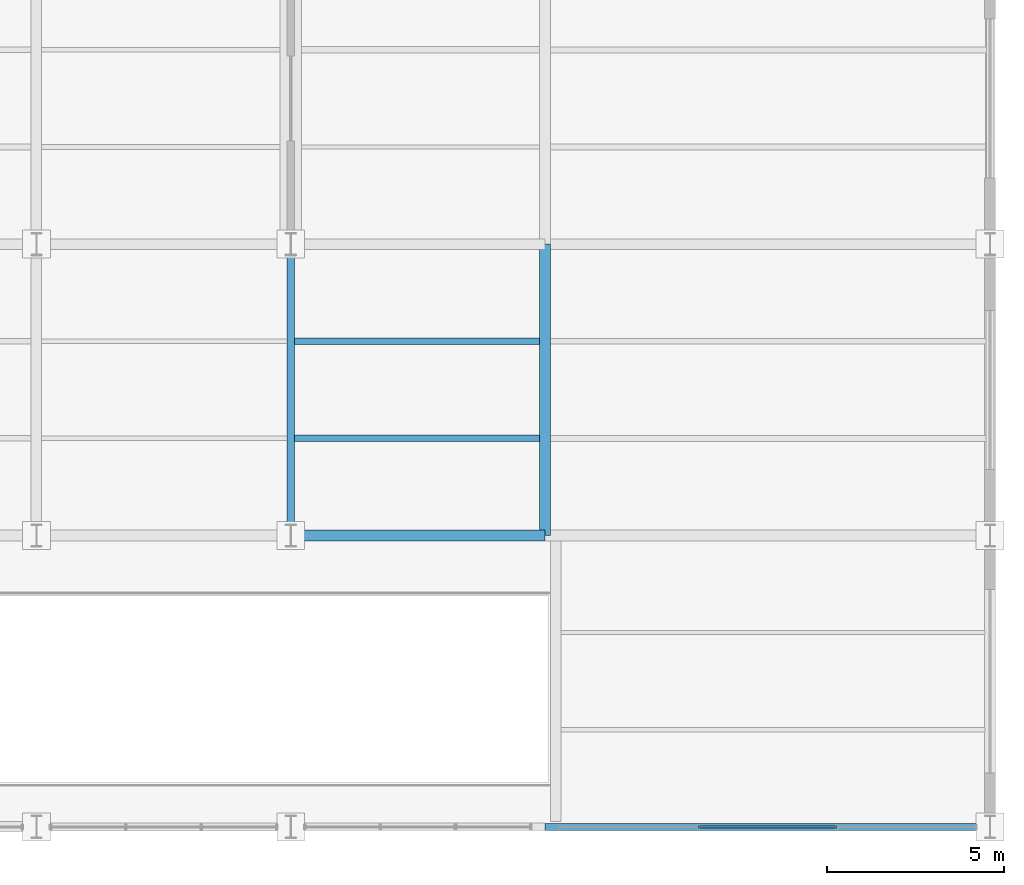
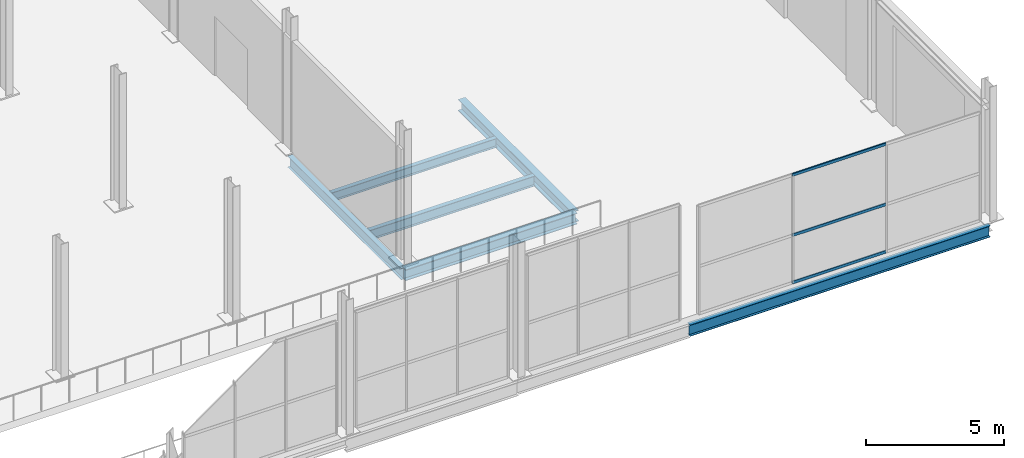
# One storey, part 85 of 144: 6 beams, 3 members, 1 element without a shape of its own.
"""IFC4 building model written with IfcOpenShell, lengths in metres."""

import ifcopenshell
import ifcopenshell.guid

model = None  # the IFC model being written
_history = None  # IfcOwnerHistory: only IFC2X3 demands one
_inside = {}  # id of a spatial element -> (the spatial element, [elements in it])
_under = {}  # id of a project, library or spatial element -> (it, [spatial elements below it])
_declared = {}  # id of a project -> (the project, [libraries it declares])
_typed = {}  # id of a type object -> (the type object, [elements of that type])
_made_of = {}  # id of a material, layer set ... -> (it, [elements and type objects made of it])


def new_model(schema):
    """Start an empty IFC model of exactly this schema.

    Asked for "IFC4X3", IfcOpenShell would pick the latest addendum, in which some entities
    have other attributes; the version numbers below select the first issue.
    IFC2X3 requires an IfcOwnerHistory on every rooted entity: one is made here for all.
    """
    global model, _history
    if schema == "IFC4X3":
        model = ifcopenshell.file(schema_version=(4, 3, 0, 0))
    else:
        model = ifcopenshell.file(schema=schema)
    _inside.clear()
    _under.clear()
    _declared.clear()
    _typed.clear()
    _made_of.clear()
    _history = None
    if model.schema == "IFC2X3":
        org = make("IfcOrganization", Name="unknown")
        user = make(
            "IfcPersonAndOrganization",
            ThePerson=make("IfcPerson", FamilyName="unknown"),
            TheOrganization=org,
        )
        app = make(
            "IfcApplication",
            ApplicationDeveloper=org,
            Version="unknown",
            ApplicationFullName="unknown",
            ApplicationIdentifier="unknown",
        )
        _history = make(
            "IfcOwnerHistory",
            OwningUser=user,
            OwningApplication=app,
            ChangeAction="ADDED",
            CreationDate=0,
        )
    return model


def make(cls, **values):
    """One entity of the class cls with the attributes given. An attribute that is None is left unset."""
    return model.create_entity(
        cls, **{name: value for name, value in values.items() if value is not None}
    )


def rooted(cls, **values):
    """An entity with a GlobalId (a new one), such as an element, a storey or a relation."""
    return make(cls, GlobalId=ifcopenshell.guid.new(), OwnerHistory=_history, **values)


def si_unit(unit_type, name, prefix=None):
    """IfcSIUnit, for example si_unit("LENGTHUNIT", "METRE", prefix="MILLI")."""
    return make("IfcSIUnit", UnitType=unit_type, Prefix=prefix, Name=name)


def assignment(units):
    """IfcUnitAssignment: the units of a project."""
    return None if units is None else make("IfcUnitAssignment", Units=units)


def point(xyz):
    """IfcCartesianPoint."""
    return None if xyz is None else make("IfcCartesianPoint", Coordinates=xyz)


def direction(xyz):
    """IfcDirection."""
    return None if xyz is None else make("IfcDirection", DirectionRatios=xyz)


def frame(location, z_axis=None, x_axis=None):
    """IfcAxis2Placement3D, a coordinate frame: its origin and axes. An axis left out is left unset."""
    return make(
        "IfcAxis2Placement3D",
        Location=point(location),
        Axis=direction(z_axis),
        RefDirection=direction(x_axis),
    )


def frame_2d(location, x_axis=None):
    """IfcAxis2Placement2D, a coordinate frame in the plane: its origin and x axis."""
    return make(
        "IfcAxis2Placement2D", Location=point(location), RefDirection=direction(x_axis)
    )


def origin():
    """The frame at (0, 0, 0) with its axes left unset."""
    return frame((0.0, 0.0, 0.0))


def origin_2d():
    """The frame at (0, 0) in the plane with its x axis left unset."""
    return frame_2d((0.0, 0.0))


def place(relative_to, where):
    """IfcLocalPlacement: puts the frame where relative to a parent placement (None: the world)."""
    return make(
        "IfcLocalPlacement", PlacementRelTo=relative_to, RelativePlacement=where
    )


def context(
    kind, dimensions, precision=None, world=None, true_north=None, identifier=None
):
    """IfcGeometricRepresentationContext, for example the 3D "Model" context."""
    return make(
        "IfcGeometricRepresentationContext",
        ContextIdentifier=identifier,
        ContextType=kind,
        CoordinateSpaceDimension=dimensions,
        Precision=precision,
        WorldCoordinateSystem=world,
        TrueNorth=true_north,
    )


def subcontext(parent, identifier, kind, view, scale=None):
    """IfcGeometricRepresentationSubContext, for example "Body" below "Model"."""
    return make(
        "IfcGeometricRepresentationSubContext",
        ContextIdentifier=identifier,
        ContextType=kind,
        ParentContext=parent,
        TargetScale=scale,
        TargetView=view,
    )


def project(units=None, contexts=None):
    """IfcProject with its units and contexts."""
    return rooted(
        "IfcProject",
        Name="project",
        RepresentationContexts=contexts,
        UnitsInContext=assignment(units),
    )


def spatial(cls, under=None, at=None, **own):
    """A site, building, storey or space (cls), placed at a placement, below another one or the project."""
    s = rooted(cls, ObjectPlacement=at, **own)
    if under is not None:
        _under.setdefault(under.id(), (under, []))[1].append(s)
    return s


def profile(cls, at=None, kind="AREA", **sizes):
    """A parametric profile (cls). Its sizes go by their IFC names, for example OverallWidth=200.0."""
    return make(cls, ProfileType=kind, Position=at, **sizes)


def hollow_rectangle(**sizes):
    """IfcRectangleHollowProfileDef."""
    return profile("IfcRectangleHollowProfileDef", **sizes)


def i_section(**sizes):
    """IfcIShapeProfileDef."""
    return profile("IfcIShapeProfileDef", **sizes)


def extrude(swept, where, along, depth):
    """IfcExtrudedAreaSolid: the profile swept, set in the frame where, extruded along a direction by depth."""
    return make(
        "IfcExtrudedAreaSolid",
        SweptArea=swept,
        Position=where,
        ExtrudedDirection=direction(along),
        Depth=depth,
    )


def shape(context_of_items, identifier, shape_type, items):
    """IfcShapeRepresentation: the items that make up one representation, for example the "Body"."""
    return make(
        "IfcShapeRepresentation",
        ContextOfItems=context_of_items,
        RepresentationIdentifier=identifier,
        RepresentationType=shape_type,
        Items=items,
    )


def material(Name=None, Category=None):
    """IfcMaterial."""
    return make("IfcMaterial", Name=Name, Category=Category)


def layer(
    of_material, thickness, ventilated=None, Name=None, Category=None, Priority=None
):
    """IfcMaterialLayer: one layer of a wall or slab, of a material (None: an air gap)."""
    return make(
        "IfcMaterialLayer",
        Material=of_material,
        LayerThickness=thickness,
        IsVentilated=ventilated,
        Name=Name,
        Category=Category,
        Priority=Priority,
    )


def layer_set(layers, Name=None):
    """IfcMaterialLayerSet."""
    return make("IfcMaterialLayerSet", MaterialLayers=layers, LayerSetName=Name)


def material_profile(
    of_material, cross_section, Name=None, Category=None, Priority=None
):
    """IfcMaterialProfile: a cross section and its material."""
    return make(
        "IfcMaterialProfile",
        Name=Name,
        Material=of_material,
        Profile=cross_section,
        Priority=Priority,
        Category=Category,
    )


def profile_set(profiles, Name=None, composite=None):
    """IfcMaterialProfileSet."""
    return make(
        "IfcMaterialProfileSet",
        Name=Name,
        MaterialProfiles=profiles,
        CompositeProfile=composite,
    )


def made_of(thing, what):
    """Note that an element or type object is made of a material, layer set ...; save() writes the relation."""
    if what is not None:
        _made_of.setdefault(what.id(), (what, []))[1].append(thing)
    return thing


def type_object(cls, material=None, **own):
    """A type object (cls), such as IfcWallType, which elements share."""
    return made_of(rooted(cls, **own), material)


def element(
    cls,
    number,
    at=None,
    inside=None,
    cuts=None,
    type_object=None,
    material=None,
    context=None,
    identifier="Body",
    shape_type=None,
    held_by="IfcProductDefinitionShape",
    body=None,
    shapes=None,
    **own,
):
    """One element of the class cls, such as IfcWall. Its Tag is "e" and its number.

    at: its placement. inside: the storey or other place that contains it. cuts: it is an
    opening in that element (IfcRelVoidsElement). A single representation is given by context,
    identifier, shape_type and body (its items); several are given by shapes. held_by: the class
    of the entity that holds the representations. save() writes the other relations.
    """
    e = rooted(cls, Tag="e%d" % number, ObjectPlacement=at, **own)
    if body is not None:
        shapes = [shape(context, identifier, shape_type, body)]
    if shapes is not None:
        e.Representation = make(held_by, Representations=shapes)
    if inside is not None:
        _inside.setdefault(inside.id(), (inside, []))[1].append(e)
    if cuts is not None:
        rooted(
            "IfcRelVoidsElement", RelatingBuildingElement=cuts, RelatedOpeningElement=e
        )
    if type_object is not None:
        _typed.setdefault(type_object.id(), (type_object, []))[1].append(e)
    return made_of(e, material)


def aggregate(whole, parts):
    """IfcRelAggregates: a whole, such as a stair, and the parts it consists of."""
    return rooted("IfcRelAggregates", RelatingObject=whole, RelatedObjects=parts)


def save(model, path):
    """Write the relations noted so far, then the file.

    IfcRelAggregates (storeys below a building ...), IfcRelContainedInSpatialStructure (elements
    in a storey), IfcRelDefinesByType, IfcRelAssociatesMaterial and IfcRelDeclares: one each for
    every whole, place, type object, material and project.
    """
    for whole, parts in _under.values():
        aggregate(whole, parts)
    for where, things in _inside.values():
        rooted(
            "IfcRelContainedInSpatialStructure",
            RelatedElements=things,
            RelatingStructure=where,
        )
    for kind, things in _typed.values():
        rooted("IfcRelDefinesByType", RelatedObjects=things, RelatingType=kind)
    for what, things in _made_of.values():
        rooted("IfcRelAssociatesMaterial", RelatedObjects=things, RelatingMaterial=what)
    for by, libraries in _declared.values():
        rooted("IfcRelDeclares", RelatingContext=by, RelatedDefinitions=libraries)
    model.write(path)


model = new_model("IFC4")

# Units and contexts
model_context = context("Model", 3, precision=1e-05, world=origin(), true_north=direction((0.0, 1.0)))
body_context = subcontext(model_context, "Body", "Model", "MODEL_VIEW")
ifc_project = project(units=[si_unit("LENGTHUNIT", "METRE"), si_unit("AREAUNIT", "SQUARE_METRE"), si_unit("VOLUMEUNIT", "CUBIC_METRE"), si_unit("PLANEANGLEUNIT", "RADIAN"), si_unit("MASSUNIT", "GRAM", prefix="KILO")], contexts=[model_context])

# Site, building, storey
site_placement = place(None, origin())
site = spatial("IfcSite", under=ifc_project, at=site_placement, CompositionType="ELEMENT")
building_placement = place(site_placement, origin())
building = spatial("IfcBuilding", under=site, at=building_placement, Name="Sundgate Opera House", CompositionType="ELEMENT")
storey_placement = place(building_placement, origin())
storey = spatial("IfcBuildingStorey", under=building, at=storey_placement, Name="L00", CompositionType="ELEMENT", Elevation=0.0)

# Beams
ifc_material_1 = material(Name="Steel S355J2", Category="steel")
ifc_material_profile_1 = material_profile(ifc_material_1, i_section(OverallWidth=0.300048828125, OverallDepth=0.489990234375, WebThickness=0.011962890625, FlangeThickness=0.02294921875, at=origin_2d()), Name="HEA 500")
ifc_profile_set_1 = profile_set([ifc_material_profile_1], Name="Steel S355J2")
beam_type_1 = type_object("IfcBeamType", Name="BM-GR-HEA500", PredefinedType="BEAM", material=ifc_profile_set_1)
beam_1_placement = place(storey_placement, frame((160.199951171875, 8.25, -0.56494140625), z_axis=(1.0, 0.0, 0.0), x_axis=(0.0, 1.0, 0.0)))
element("IfcBeam", 1, at=beam_1_placement, inside=storey, type_object=beam_type_1, Name="L00 Primary E-W Girder B0353", PredefinedType="BEAM", context=body_context, shape_type="SweptSolid", body=[
    extrude(i_section(OverallWidth=0.300048828125, OverallDepth=0.489990234375, WebThickness=0.011962890625, FlangeThickness=0.02294921875, at=origin_2d()), origin(), (0.0, 0.0, 1.0), 7.199951171875),
])
ifc_material_2 = material(Name="Steel S355J2", Category="steel")
ifc_material_profile_2 = material_profile(ifc_material_2, i_section(OverallWidth=0.300048828125, OverallDepth=0.5, WebThickness=0.014404296875, FlangeThickness=0.028076171875, at=origin_2d()), Name="HEB 500")
ifc_profile_set_2 = profile_set([ifc_material_profile_2], Name="Steel S355J2")
beam_type_2 = type_object("IfcBeamType", Name="BM-GR-HEB500", PredefinedType="BEAM", material=ifc_profile_set_2)
beam_2_placement = place(storey_placement, frame((167.39990234375, 8.25, -0.570068359375), z_axis=(0.0, 1.0, 0.0), x_axis=(-1.0, 0.0, 0.0)))
element("IfcBeam", 2, at=beam_2_placement, inside=storey, type_object=beam_type_2, Name="L00 Primary N-S Girder B0304", PredefinedType="BEAM", context=body_context, shape_type="SweptSolid", body=[
    extrude(i_section(OverallWidth=0.300048828125, OverallDepth=0.5, WebThickness=0.014404296875, FlangeThickness=0.028076171875, at=origin_2d()), origin(), (0.0, 0.0, 1.0), 8.25),
])
ifc_material_3 = material(Name="Steel S355J2", Category="steel")
ifc_material_profile_3 = material_profile(ifc_material_3, i_section(OverallWidth=0.199951171875, OverallDepth=0.5, WebThickness=0.01025390625, FlangeThickness=0.01611328125, at=origin_2d()), Name="IPE 500")
ifc_profile_set_3 = profile_set([ifc_material_profile_3], Name="Steel S355J2")
beam_type_3 = type_object("IfcBeamType", Name="BM-GR-IPE500", PredefinedType="BEAM", material=ifc_profile_set_3)
beam_3_placement = place(storey_placement, frame((160.199951171875, 8.25, -0.570068359375), z_axis=(0.0, 1.0, 0.0), x_axis=(-1.0, 0.0, 0.0)))
element("IfcBeam", 3, at=beam_3_placement, inside=storey, type_object=beam_type_3, Name="L00 Primary N-S Girder B0295", PredefinedType="BEAM", context=body_context, shape_type="SweptSolid", body=[
    extrude(i_section(OverallWidth=0.199951171875, OverallDepth=0.5, WebThickness=0.01025390625, FlangeThickness=0.01611328125, at=origin_2d()), origin(), (0.0, 0.0, 1.0), 8.25),
])
beam_4_placement = place(storey_placement, frame((167.39990234375, 0.0, -0.570068359375), z_axis=(1.0, 0.0, 0.0), x_axis=(0.0, 1.0, 0.0)))
element("IfcBeam", 4, at=beam_4_placement, inside=storey, type_object=beam_type_3, Name="L00 Primary E-W Girder B0338", PredefinedType="BEAM", context=body_context, shape_type="SweptSolid", body=[
    extrude(i_section(OverallWidth=0.199951171875, OverallDepth=0.5, WebThickness=0.01025390625, FlangeThickness=0.01611328125, at=origin_2d()), origin(), (0.0, 0.0, 1.0), 12.60009765625),
])
ifc_material_4 = material(Name="Steel S355J2", Category="steel")
ifc_material_profile_4 = material_profile(ifc_material_4, i_section(OverallWidth=0.179931640625, OverallDepth=0.39990234375, WebThickness=0.008544921875, FlangeThickness=0.013427734375, at=origin_2d()), Name="IPE 400")
ifc_profile_set_4 = profile_set([ifc_material_profile_4], Name="Steel S355J2")
beam_type_4 = type_object("IfcBeamType", Name="BM-JS-IPE400", PredefinedType="JOIST", material=ifc_profile_set_4)
beam_5_placement = place(storey_placement, frame((160.300048828125, 13.75, -0.52001953125), z_axis=(1.0, 0.0, 0.0), x_axis=(0.0, 1.0, 0.0)))
element("IfcBeam", 5, at=beam_5_placement, inside=storey, type_object=beam_type_4, Name="L00 Secondary Floor Joist B0652", PredefinedType="JOIST", context=body_context, shape_type="SweptSolid", body=[
    extrude(i_section(OverallWidth=0.179931640625, OverallDepth=0.39990234375, WebThickness=0.008544921875, FlangeThickness=0.013427734375, at=origin_2d()), origin(), (0.0, 0.0, 1.0), 6.949951171875),
])
ifc_material_5 = material(Name="Steel S355J2", Category="steel")
ifc_material_profile_5 = material_profile(ifc_material_5, i_section(OverallWidth=0.18994140625, OverallDepth=0.449951171875, WebThickness=0.009521484375, FlangeThickness=0.0146484375, at=origin_2d()), Name="IPE 450")
ifc_profile_set_5 = profile_set([ifc_material_profile_5], Name="Steel S355J2")
beam_type_5 = type_object("IfcBeamType", Name="BM-JS-IPE450", PredefinedType="JOIST", material=ifc_profile_set_5)
beam_6_placement = place(storey_placement, frame((160.300048828125, 11.0, -0.544921875), z_axis=(1.0, 0.0, 0.0), x_axis=(0.0, 1.0, 0.0)))
element("IfcBeam", 6, at=beam_6_placement, inside=storey, type_object=beam_type_5, Name="L00 Secondary Floor Joist B0651", PredefinedType="JOIST", context=body_context, shape_type="SweptSolid", body=[
    extrude(i_section(OverallWidth=0.18994140625, OverallDepth=0.449951171875, WebThickness=0.009521484375, FlangeThickness=0.0146484375, at=origin_2d()), origin(), (0.0, 0.0, 1.0), 6.949951171875),
])

# Curtain wall, members
ifc_material_6 = material(Name="Anodized aluminium and low-iron glass", Category="aluminium")
ifc_layer = layer(ifc_material_6, 0.14990234375)
ifc_layer_set = layer_set([ifc_layer], Name="Anodized aluminium and low-iron glass")
curtain_wall_type = type_object("IfcCurtainWallType", Name="CW-WORKSHOP-DARK", PredefinedType="NOTDEFINED", material=ifc_layer_set)
curtain_wall_placement = place(storey_placement, origin())
curtain_wall = element("IfcCurtainWall", 7, at=curtain_wall_placement, inside=storey, type_object=curtain_wall_type, Name="L00 Curtain Wall CW130", PredefinedType="NOTDEFINED")
ifc_material_7 = material(Name="Anodized aluminium EN AW-6063", Category="aluminium")
ifc_material_profile_6 = material_profile(ifc_material_7, hollow_rectangle(XDim=0.054931640625, YDim=0.1201171875, WallThickness=0.00390625, at=origin_2d()), Name="CWT 120x55x4")
ifc_profile_set_6 = profile_set([ifc_material_profile_6], Name="Anodized aluminium EN AW-6063")
member_type = type_object("IfcMemberType", Name="CWT-ALU-120x55", PredefinedType="USERDEFINED", material=ifc_profile_set_6)
member_1_placement = place(storey_placement, frame((175.666748046875, 0.0, 0.0), z_axis=(-1.0, 0.0, 0.0), x_axis=(0.0, -1.0, 0.0)))
member_1 = element("IfcMember", 8, at=member_1_placement, type_object=member_type, Name="CW130 Transom 4", ObjectType="TRANSOM", PredefinedType="USERDEFINED", context=body_context, shape_type="SweptSolid", body=[
    extrude(hollow_rectangle(XDim=0.054931640625, YDim=0.1201171875, WallThickness=0.00390625, at=origin_2d()), origin(), (0.0, 0.0, 1.0), 3.933349609375),
])
member_2_placement = place(storey_placement, frame((175.666748046875, 0.0, 2.10009765625), z_axis=(-1.0, 0.0, 0.0), x_axis=(0.0, -1.0, 0.0)))
member_2 = element("IfcMember", 9, at=member_2_placement, type_object=member_type, Name="CW130 Transom 5", ObjectType="TRANSOM", PredefinedType="USERDEFINED", context=body_context, shape_type="SweptSolid", body=[
    extrude(hollow_rectangle(XDim=0.054931640625, YDim=0.1201171875, WallThickness=0.00390625, at=origin_2d()), origin(), (0.0, 0.0, 1.0), 3.933349609375),
])
member_3_placement = place(storey_placement, frame((175.666748046875, 0.0, 4.77001953125), z_axis=(-1.0, 0.0, 0.0), x_axis=(0.0, -1.0, 0.0)))
member_3 = element("IfcMember", 10, at=member_3_placement, type_object=member_type, Name="CW130 Transom 6", ObjectType="TRANSOM", PredefinedType="USERDEFINED", context=body_context, shape_type="SweptSolid", body=[
    extrude(hollow_rectangle(XDim=0.054931640625, YDim=0.1201171875, WallThickness=0.00390625, at=origin_2d()), origin(), (0.0, 0.0, 1.0), 3.933349609375),
])
aggregate(curtain_wall, [member_1, member_2, member_3])

save(model, "model.ifc")
